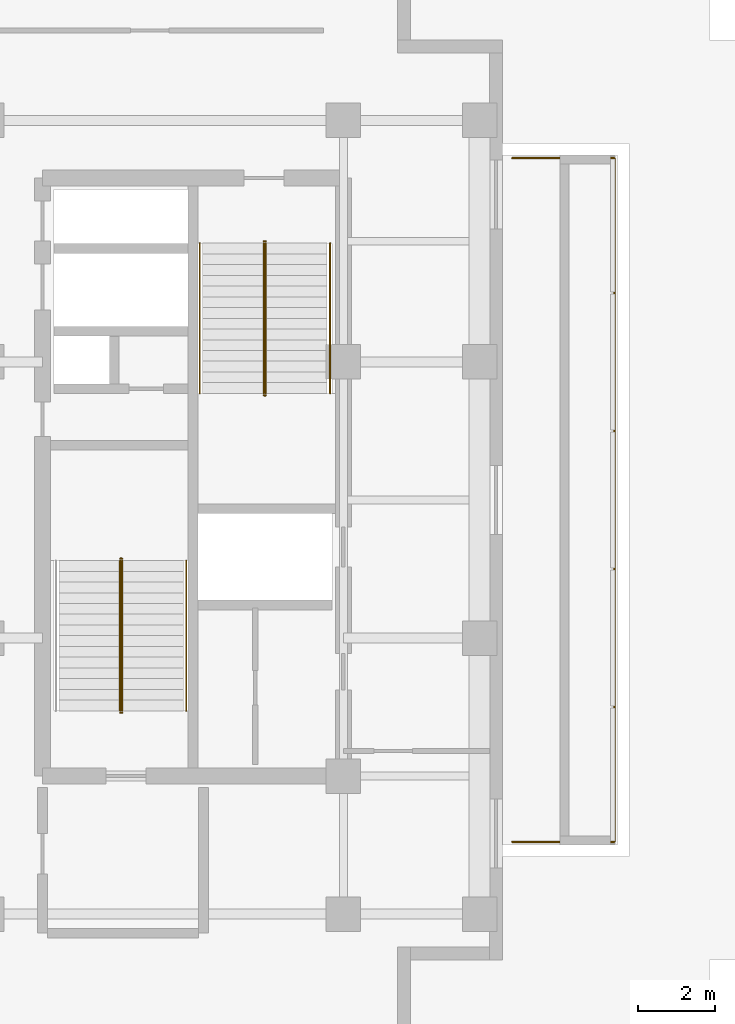
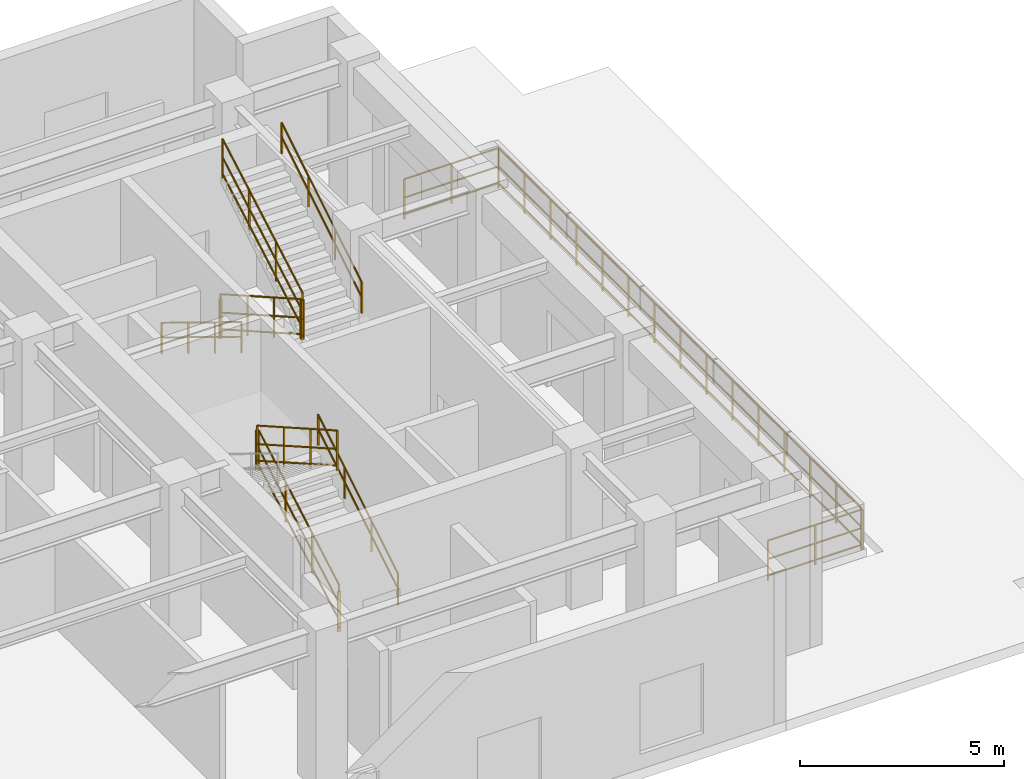
# One storey, part 14 of 16: 14 railings.
"""IFC4 building model written with IfcOpenShell, lengths in metres."""

from ifc_helpers import new_model, entity, si_unit, converted_unit, direction, frame, origin_with_axes, origin_2d_with_axis, place, context, subcontext, project, spatial, rectangle, circle, extrude, material, type_object, element, save


model = new_model("IFC4")

# Units and contexts
model_context = context("Model", 3, precision=1e-05, world=origin_with_axes(), true_north=direction((0.0, 1.0)))
body_context = subcontext(model_context, "Body", "Model", "MODEL_VIEW")
ifc_project = project(units=[si_unit("LENGTHUNIT", "METRE"), si_unit("AREAUNIT", "SQUARE_METRE"), si_unit("VOLUMEUNIT", "CUBIC_METRE"), converted_unit("PLANEANGLEUNIT", "DEGREE", entity("IfcPlaneAngleMeasure", 0.017453292519943295), si_unit("PLANEANGLEUNIT", "RADIAN"), dimensions=[0, 0, 0, 0, 0, 0, 0]), si_unit("MASSUNIT", "GRAM", prefix="KILO"), si_unit("THERMODYNAMICTEMPERATUREUNIT", "KELVIN")], contexts=[model_context])

# Site, building, storey
site_placement = place(None, origin_with_axes())
site = spatial("IfcSite", under=ifc_project, at=site_placement, CompositionType="ELEMENT")
building_placement = place(site_placement, origin_with_axes())
building = spatial("IfcBuilding", under=site, at=building_placement, Name="Varnlund Millrace Tower", CompositionType="ELEMENT")
storey_placement = place(building_placement, frame((0.0, 0.0, 219.9), z_axis=(0.0, 0.0, 1.0), x_axis=(1.0, 0.0, 0.0)))
storey = spatial("IfcBuildingStorey", under=building, at=storey_placement, Name="L54", CompositionType="ELEMENT", Elevation=219.9)

# Railings
ifc_material_1 = material(Name="Architectural bronze balustrade guard", Category="aluminium")
railing_type_1 = type_object("IfcRailingType", Name="Type-Guard-Perimeter-1150", PredefinedType="BALUSTRADE", material=ifc_material_1)
railing_1_placement = place(storey_placement, frame((0.0, 0.0, -219.9), z_axis=(0.0, 0.0, 1.0), x_axis=(1.0, 0.0, 0.0)))
element("IfcRailing", 1, at=railing_1_placement, inside=storey, type_object=railing_type_1, Name="Type-Guard-Perimeter-1150", PredefinedType="BALUSTRADE", context=body_context, shape_type="SweptSolid", body=[
    extrude(circle(Radius=0.024, at=origin_2d_with_axis()), frame((55.12, 5.48, 221.05), z_axis=(0.0, 1.0, 0.0), x_axis=(-1.0, 0.0, 0.0)), (0.0, 0.0, 1.0), 17.84),
    extrude(circle(Radius=0.024, at=origin_2d_with_axis()), frame((55.12, 5.48, 220.0), z_axis=(0.0, 1.0, 0.0), x_axis=(-1.0, 0.0, 0.0)), (0.0, 0.0, 1.0), 17.84),
    extrude(circle(Radius=0.024, at=origin_2d_with_axis()), frame((55.12, 5.48, 220.498), z_axis=(0.0, 1.0, 0.0), x_axis=(-1.0, 0.0, 0.0)), (0.0, 0.0, 1.0), 17.84),
    extrude(rectangle(XDim=0.04, YDim=0.04, at=origin_2d_with_axis()), frame((55.12, 5.48, 219.86), z_axis=(0.0, 0.0, 1.0), x_axis=(1.0, 0.0, 0.0)), (0.0, 0.0, 1.0), 1.19),
    extrude(rectangle(XDim=0.04, YDim=0.04, at=origin_2d_with_axis()), frame((55.12, 6.754286, 219.86), z_axis=(0.0, 0.0, 1.0), x_axis=(1.0, 0.0, 0.0)), (0.0, 0.0, 1.0), 1.19),
    extrude(rectangle(XDim=0.04, YDim=0.04, at=origin_2d_with_axis()), frame((55.12, 8.028571, 219.86), z_axis=(0.0, 0.0, 1.0), x_axis=(1.0, 0.0, 0.0)), (0.0, 0.0, 1.0), 1.19),
    extrude(rectangle(XDim=0.04, YDim=0.04, at=origin_2d_with_axis()), frame((55.12, 9.302857, 219.86), z_axis=(0.0, 0.0, 1.0), x_axis=(1.0, 0.0, 0.0)), (0.0, 0.0, 1.0), 1.19),
    extrude(rectangle(XDim=0.04, YDim=0.04, at=origin_2d_with_axis()), frame((55.12, 10.577143, 219.86), z_axis=(0.0, 0.0, 1.0), x_axis=(1.0, 0.0, 0.0)), (0.0, 0.0, 1.0), 1.19),
    extrude(rectangle(XDim=0.04, YDim=0.04, at=origin_2d_with_axis()), frame((55.12, 11.851429, 219.86), z_axis=(0.0, 0.0, 1.0), x_axis=(1.0, 0.0, 0.0)), (0.0, 0.0, 1.0), 1.19),
    extrude(rectangle(XDim=0.04, YDim=0.04, at=origin_2d_with_axis()), frame((55.12, 13.125714, 219.86), z_axis=(0.0, 0.0, 1.0), x_axis=(1.0, 0.0, 0.0)), (0.0, 0.0, 1.0), 1.19),
    extrude(rectangle(XDim=0.04, YDim=0.04, at=origin_2d_with_axis()), frame((55.12, 14.4, 219.86), z_axis=(0.0, 0.0, 1.0), x_axis=(1.0, 0.0, 0.0)), (0.0, 0.0, 1.0), 1.19),
    extrude(rectangle(XDim=0.04, YDim=0.04, at=origin_2d_with_axis()), frame((55.12, 15.674286, 219.86), z_axis=(0.0, 0.0, 1.0), x_axis=(1.0, 0.0, 0.0)), (0.0, 0.0, 1.0), 1.19),
    extrude(rectangle(XDim=0.04, YDim=0.04, at=origin_2d_with_axis()), frame((55.12, 16.948571, 219.86), z_axis=(0.0, 0.0, 1.0), x_axis=(1.0, 0.0, 0.0)), (0.0, 0.0, 1.0), 1.19),
    extrude(rectangle(XDim=0.04, YDim=0.04, at=origin_2d_with_axis()), frame((55.12, 18.222857, 219.86), z_axis=(0.0, 0.0, 1.0), x_axis=(1.0, 0.0, 0.0)), (0.0, 0.0, 1.0), 1.19),
    extrude(rectangle(XDim=0.04, YDim=0.04, at=origin_2d_with_axis()), frame((55.12, 19.497143, 219.86), z_axis=(0.0, 0.0, 1.0), x_axis=(1.0, 0.0, 0.0)), (0.0, 0.0, 1.0), 1.19),
    extrude(rectangle(XDim=0.04, YDim=0.04, at=origin_2d_with_axis()), frame((55.12, 20.771429, 219.86), z_axis=(0.0, 0.0, 1.0), x_axis=(1.0, 0.0, 0.0)), (0.0, 0.0, 1.0), 1.19),
    extrude(rectangle(XDim=0.04, YDim=0.04, at=origin_2d_with_axis()), frame((55.12, 22.045714, 219.86), z_axis=(0.0, 0.0, 1.0), x_axis=(1.0, 0.0, 0.0)), (0.0, 0.0, 1.0), 1.19),
    extrude(rectangle(XDim=0.04, YDim=0.04, at=origin_2d_with_axis()), frame((55.12, 23.32, 219.86), z_axis=(0.0, 0.0, 1.0), x_axis=(1.0, 0.0, 0.0)), (0.0, 0.0, 1.0), 1.19),
])
railing_2_placement = place(storey_placement, frame((0.0, 0.0, -219.9), z_axis=(0.0, 0.0, 1.0), x_axis=(1.0, 0.0, 0.0)))
element("IfcRailing", 2, at=railing_2_placement, inside=storey, type_object=railing_type_1, Name="Type-Guard-Perimeter-1150", PredefinedType="BALUSTRADE", context=body_context, shape_type="SweptSolid", body=[
    extrude(circle(Radius=0.024, at=origin_2d_with_axis()), frame((55.12, 23.32, 221.05), z_axis=(-1.0, 0.0, 0.0), x_axis=(0.0, -1.0, 0.0)), (0.0, 0.0, 1.0), 2.67),
    extrude(circle(Radius=0.024, at=origin_2d_with_axis()), frame((55.12, 23.32, 220.0), z_axis=(-1.0, 0.0, 0.0), x_axis=(0.0, -1.0, 0.0)), (0.0, 0.0, 1.0), 2.67),
    extrude(circle(Radius=0.024, at=origin_2d_with_axis()), frame((55.12, 23.32, 220.498), z_axis=(-1.0, 0.0, 0.0), x_axis=(0.0, -1.0, 0.0)), (0.0, 0.0, 1.0), 2.67),
    extrude(rectangle(XDim=0.04, YDim=0.04, at=origin_2d_with_axis()), frame((55.12, 23.32, 219.86), z_axis=(0.0, 0.0, 1.0), x_axis=(1.0, 0.0, 0.0)), (0.0, 0.0, 1.0), 1.19),
    extrude(rectangle(XDim=0.04, YDim=0.04, at=origin_2d_with_axis()), frame((53.785, 23.32, 219.86), z_axis=(0.0, 0.0, 1.0), x_axis=(1.0, 0.0, 0.0)), (0.0, 0.0, 1.0), 1.19),
    extrude(rectangle(XDim=0.04, YDim=0.04, at=origin_2d_with_axis()), frame((52.45, 23.32, 219.86), z_axis=(0.0, 0.0, 1.0), x_axis=(1.0, 0.0, 0.0)), (0.0, 0.0, 1.0), 1.19),
])
railing_3_placement = place(storey_placement, frame((0.0, 0.0, -219.9), z_axis=(0.0, 0.0, 1.0), x_axis=(1.0, 0.0, 0.0)))
element("IfcRailing", 3, at=railing_3_placement, inside=storey, type_object=railing_type_1, Name="Type-Guard-Perimeter-1150", PredefinedType="BALUSTRADE", context=body_context, shape_type="SweptSolid", body=[
    extrude(circle(Radius=0.024, at=origin_2d_with_axis()), frame((52.45, 5.48, 221.05), z_axis=(1.0, 0.0, 0.0), x_axis=(0.0, 1.0, 0.0)), (0.0, 0.0, 1.0), 2.67),
    extrude(circle(Radius=0.024, at=origin_2d_with_axis()), frame((52.45, 5.48, 220.0), z_axis=(1.0, 0.0, 0.0), x_axis=(0.0, 1.0, 0.0)), (0.0, 0.0, 1.0), 2.67),
    extrude(circle(Radius=0.024, at=origin_2d_with_axis()), frame((52.45, 5.48, 220.498), z_axis=(1.0, 0.0, 0.0), x_axis=(0.0, 1.0, 0.0)), (0.0, 0.0, 1.0), 2.67),
    extrude(rectangle(XDim=0.04, YDim=0.04, at=origin_2d_with_axis()), frame((52.45, 5.48, 219.86), z_axis=(0.0, 0.0, 1.0), x_axis=(1.0, 0.0, 0.0)), (0.0, 0.0, 1.0), 1.19),
    extrude(rectangle(XDim=0.04, YDim=0.04, at=origin_2d_with_axis()), frame((53.785, 5.48, 219.86), z_axis=(0.0, 0.0, 1.0), x_axis=(1.0, 0.0, 0.0)), (0.0, 0.0, 1.0), 1.19),
    extrude(rectangle(XDim=0.04, YDim=0.04, at=origin_2d_with_axis()), frame((55.12, 5.48, 219.86), z_axis=(0.0, 0.0, 1.0), x_axis=(1.0, 0.0, 0.0)), (0.0, 0.0, 1.0), 1.19),
])
ifc_material_2 = material(Name="Painted steel stair well balustrade guard", Category="steel")
railing_type_2 = type_object("IfcRailingType", Name="Type-StairGuard-1150", PredefinedType="GUARDRAIL", material=ifc_material_2)
railing_4_placement = place(storey_placement, frame((0.0, 0.0, -219.9), z_axis=(0.0, 0.0, 1.0), x_axis=(1.0, 0.0, 0.0)))
element("IfcRailing", 4, at=railing_4_placement, inside=storey, type_object=railing_type_2, Name="Type-StairGuard-1150", PredefinedType="GUARDRAIL", context=body_context, shape_type="SweptSolid", body=[
    extrude(circle(Radius=0.024, at=origin_2d_with_axis()), frame((42.275, 8.9, 221.221429), z_axis=(0.0, 0.869333, 0.494227), x_axis=(-1.0, 0.0, 0.0)), (0.0, 0.0, 1.0), 4.509205),
    extrude(circle(Radius=0.024, at=origin_2d_with_axis()), frame((42.275, 8.9, 220.171429), z_axis=(0.0, 0.869333, 0.494227), x_axis=(-1.0, 0.0, 0.0)), (0.0, 0.0, 1.0), 4.509205),
    extrude(circle(Radius=0.024, at=origin_2d_with_axis()), frame((42.275, 8.9, 220.669429), z_axis=(0.0, 0.869333, 0.494227), x_axis=(-1.0, 0.0, 0.0)), (0.0, 0.0, 1.0), 4.509205),
    extrude(rectangle(XDim=0.04, YDim=0.04, at=origin_2d_with_axis()), frame((42.275, 8.9, 220.031429), z_axis=(0.0, 0.0, 1.0), x_axis=(1.0, 0.0, 0.0)), (0.0, 0.0, 1.0), 1.19),
    extrude(rectangle(XDim=0.04, YDim=0.04, at=origin_2d_with_axis()), frame((42.275, 10.206667, 220.774286), z_axis=(0.0, 0.0, 1.0), x_axis=(1.0, 0.0, 0.0)), (0.0, 0.0, 1.0), 1.19),
    extrude(rectangle(XDim=0.04, YDim=0.04, at=origin_2d_with_axis()), frame((42.275, 11.513333, 221.517143), z_axis=(0.0, 0.0, 1.0), x_axis=(1.0, 0.0, 0.0)), (0.0, 0.0, 1.0), 1.19),
    extrude(rectangle(XDim=0.04, YDim=0.04, at=origin_2d_with_axis()), frame((42.275, 12.82, 222.26), z_axis=(0.0, 0.0, 1.0), x_axis=(1.0, 0.0, 0.0)), (0.0, 0.0, 1.0), 1.19),
])
railing_5_placement = place(storey_placement, frame((0.0, 0.0, -219.9), z_axis=(0.0, 0.0, 1.0), x_axis=(1.0, 0.0, 0.0)))
element("IfcRailing", 5, at=railing_5_placement, inside=storey, type_object=railing_type_2, Name="Type-StairGuard-1150", PredefinedType="GUARDRAIL", context=body_context, shape_type="SweptSolid", body=[
    extrude(circle(Radius=0.024, at=origin_2d_with_axis()), frame((42.225, 12.87, 223.45), z_axis=(1.0, 0.0, 0.0), x_axis=(0.0, 1.0, 0.0)), (0.0, 0.0, 1.0), 0.05),
    extrude(circle(Radius=0.024, at=origin_2d_with_axis()), frame((42.225, 12.87, 222.4), z_axis=(1.0, 0.0, 0.0), x_axis=(0.0, 1.0, 0.0)), (0.0, 0.0, 1.0), 0.05),
    extrude(circle(Radius=0.024, at=origin_2d_with_axis()), frame((42.225, 12.87, 222.898), z_axis=(1.0, 0.0, 0.0), x_axis=(0.0, 1.0, 0.0)), (0.0, 0.0, 1.0), 0.05),
    extrude(rectangle(XDim=0.04, YDim=0.04, at=origin_2d_with_axis()), frame((42.225, 12.87, 222.26), z_axis=(0.0, 0.0, 1.0), x_axis=(1.0, 0.0, 0.0)), (0.0, 0.0, 1.0), 1.19),
    extrude(rectangle(XDim=0.04, YDim=0.04, at=origin_2d_with_axis()), frame((42.275, 12.87, 222.26), z_axis=(0.0, 0.0, 1.0), x_axis=(1.0, 0.0, 0.0)), (0.0, 0.0, 1.0), 1.19),
])
railing_6_placement = place(storey_placement, frame((0.0, 0.0, -219.9), z_axis=(0.0, 0.0, 1.0), x_axis=(1.0, 0.0, 0.0)))
element("IfcRailing", 6, at=railing_6_placement, inside=storey, type_object=railing_type_2, Name="Type-StairGuard-1150", PredefinedType="GUARDRAIL", context=body_context, shape_type="SweptSolid", body=[
    extrude(circle(Radius=0.024, at=origin_2d_with_axis()), frame((42.225, 12.82, 223.621429), z_axis=(0.0, -0.869333, 0.494227), x_axis=(1.0, 0.0, 0.0)), (0.0, 0.0, 1.0), 4.509205),
    extrude(circle(Radius=0.024, at=origin_2d_with_axis()), frame((42.225, 12.82, 222.571429), z_axis=(0.0, -0.869333, 0.494227), x_axis=(1.0, 0.0, 0.0)), (0.0, 0.0, 1.0), 4.509205),
    extrude(circle(Radius=0.024, at=origin_2d_with_axis()), frame((42.225, 12.82, 223.069429), z_axis=(0.0, -0.869333, 0.494227), x_axis=(1.0, 0.0, 0.0)), (0.0, 0.0, 1.0), 4.509205),
    extrude(rectangle(XDim=0.04, YDim=0.04, at=origin_2d_with_axis()), frame((42.225, 12.82, 222.431429), z_axis=(0.0, 0.0, 1.0), x_axis=(1.0, 0.0, 0.0)), (0.0, 0.0, 1.0), 1.19),
    extrude(rectangle(XDim=0.04, YDim=0.04, at=origin_2d_with_axis()), frame((42.225, 11.513333, 223.174286), z_axis=(0.0, 0.0, 1.0), x_axis=(1.0, 0.0, 0.0)), (0.0, 0.0, 1.0), 1.19),
    extrude(rectangle(XDim=0.04, YDim=0.04, at=origin_2d_with_axis()), frame((42.225, 10.206667, 223.917143), z_axis=(0.0, 0.0, 1.0), x_axis=(1.0, 0.0, 0.0)), (0.0, 0.0, 1.0), 1.19),
    extrude(rectangle(XDim=0.04, YDim=0.04, at=origin_2d_with_axis()), frame((42.225, 8.9, 224.66), z_axis=(0.0, 0.0, 1.0), x_axis=(1.0, 0.0, 0.0)), (0.0, 0.0, 1.0), 1.19),
])
railing_7_placement = place(storey_placement, frame((0.0, 0.0, -219.9), z_axis=(0.0, 0.0, 1.0), x_axis=(1.0, 0.0, 0.0)))
element("IfcRailing", 7, at=railing_7_placement, inside=storey, type_object=railing_type_2, Name="Type-StairGuard-1150", PredefinedType="GUARDRAIL", context=body_context, shape_type="SweptSolid", body=[
    extrude(circle(Radius=0.024, at=origin_2d_with_axis()), frame((42.225, 8.85, 221.05), z_axis=(1.0, 0.0, 0.0), x_axis=(0.0, 1.0, 0.0)), (0.0, 0.0, 1.0), 0.05),
    extrude(circle(Radius=0.024, at=origin_2d_with_axis()), frame((42.225, 8.85, 220.0), z_axis=(1.0, 0.0, 0.0), x_axis=(0.0, 1.0, 0.0)), (0.0, 0.0, 1.0), 0.05),
    extrude(circle(Radius=0.024, at=origin_2d_with_axis()), frame((42.225, 8.85, 220.498), z_axis=(1.0, 0.0, 0.0), x_axis=(0.0, 1.0, 0.0)), (0.0, 0.0, 1.0), 0.05),
    extrude(rectangle(XDim=0.04, YDim=0.04, at=origin_2d_with_axis()), frame((42.225, 8.85, 219.86), z_axis=(0.0, 0.0, 1.0), x_axis=(1.0, 0.0, 0.0)), (0.0, 0.0, 1.0), 1.19),
    extrude(rectangle(XDim=0.04, YDim=0.04, at=origin_2d_with_axis()), frame((42.275, 8.85, 219.86), z_axis=(0.0, 0.0, 1.0), x_axis=(1.0, 0.0, 0.0)), (0.0, 0.0, 1.0), 1.19),
])
railing_8_placement = place(storey_placement, frame((0.0, 0.0, -219.9), z_axis=(0.0, 0.0, 1.0), x_axis=(1.0, 0.0, 0.0)))
element("IfcRailing", 8, at=railing_8_placement, inside=storey, type_object=railing_type_2, Name="Type-StairGuard-1150", PredefinedType="GUARDRAIL", context=body_context, shape_type="SweptSolid", body=[
    extrude(circle(Radius=0.024, at=origin_2d_with_axis()), frame((45.975, 21.1, 221.221429), z_axis=(0.0, -0.869333, 0.494227), x_axis=(1.0, 0.0, 0.0)), (0.0, 0.0, 1.0), 4.509205),
    extrude(circle(Radius=0.024, at=origin_2d_with_axis()), frame((45.975, 21.1, 220.171429), z_axis=(0.0, -0.869333, 0.494227), x_axis=(1.0, 0.0, 0.0)), (0.0, 0.0, 1.0), 4.509205),
    extrude(circle(Radius=0.024, at=origin_2d_with_axis()), frame((45.975, 21.1, 220.669429), z_axis=(0.0, -0.869333, 0.494227), x_axis=(1.0, 0.0, 0.0)), (0.0, 0.0, 1.0), 4.509205),
    extrude(rectangle(XDim=0.04, YDim=0.04, at=origin_2d_with_axis()), frame((45.975, 21.1, 220.031429), z_axis=(0.0, 0.0, 1.0), x_axis=(1.0, 0.0, 0.0)), (0.0, 0.0, 1.0), 1.19),
    extrude(rectangle(XDim=0.04, YDim=0.04, at=origin_2d_with_axis()), frame((45.975, 19.793333, 220.774286), z_axis=(0.0, 0.0, 1.0), x_axis=(1.0, 0.0, 0.0)), (0.0, 0.0, 1.0), 1.19),
    extrude(rectangle(XDim=0.04, YDim=0.04, at=origin_2d_with_axis()), frame((45.975, 18.486667, 221.517143), z_axis=(0.0, 0.0, 1.0), x_axis=(1.0, 0.0, 0.0)), (0.0, 0.0, 1.0), 1.19),
    extrude(rectangle(XDim=0.04, YDim=0.04, at=origin_2d_with_axis()), frame((45.975, 17.18, 222.26), z_axis=(0.0, 0.0, 1.0), x_axis=(1.0, 0.0, 0.0)), (0.0, 0.0, 1.0), 1.19),
])
railing_9_placement = place(storey_placement, frame((0.0, 0.0, -219.9), z_axis=(0.0, 0.0, 1.0), x_axis=(1.0, 0.0, 0.0)))
element("IfcRailing", 9, at=railing_9_placement, inside=storey, type_object=railing_type_2, Name="Type-StairGuard-1150", PredefinedType="GUARDRAIL", context=body_context, shape_type="SweptSolid", body=[
    extrude(circle(Radius=0.024, at=origin_2d_with_axis()), frame((46.025, 17.13, 223.45), z_axis=(-1.0, 0.0, 0.0), x_axis=(0.0, -1.0, 0.0)), (0.0, 0.0, 1.0), 0.05),
    extrude(circle(Radius=0.024, at=origin_2d_with_axis()), frame((46.025, 17.13, 222.4), z_axis=(-1.0, 0.0, 0.0), x_axis=(0.0, -1.0, 0.0)), (0.0, 0.0, 1.0), 0.05),
    extrude(circle(Radius=0.024, at=origin_2d_with_axis()), frame((46.025, 17.13, 222.898), z_axis=(-1.0, 0.0, 0.0), x_axis=(0.0, -1.0, 0.0)), (0.0, 0.0, 1.0), 0.05),
    extrude(rectangle(XDim=0.04, YDim=0.04, at=origin_2d_with_axis()), frame((46.025, 17.13, 222.26), z_axis=(0.0, 0.0, 1.0), x_axis=(1.0, 0.0, 0.0)), (0.0, 0.0, 1.0), 1.19),
    extrude(rectangle(XDim=0.04, YDim=0.04, at=origin_2d_with_axis()), frame((45.975, 17.13, 222.26), z_axis=(0.0, 0.0, 1.0), x_axis=(1.0, 0.0, 0.0)), (0.0, 0.0, 1.0), 1.19),
])
railing_10_placement = place(storey_placement, frame((0.0, 0.0, -219.9), z_axis=(0.0, 0.0, 1.0), x_axis=(1.0, 0.0, 0.0)))
element("IfcRailing", 10, at=railing_10_placement, inside=storey, type_object=railing_type_2, Name="Type-StairGuard-1150", PredefinedType="GUARDRAIL", context=body_context, shape_type="SweptSolid", body=[
    extrude(circle(Radius=0.024, at=origin_2d_with_axis()), frame((46.025, 17.18, 223.621429), z_axis=(0.0, 0.869333, 0.494227), x_axis=(-1.0, 0.0, 0.0)), (0.0, 0.0, 1.0), 4.509205),
    extrude(circle(Radius=0.024, at=origin_2d_with_axis()), frame((46.025, 17.18, 222.571429), z_axis=(0.0, 0.869333, 0.494227), x_axis=(-1.0, 0.0, 0.0)), (0.0, 0.0, 1.0), 4.509205),
    extrude(circle(Radius=0.024, at=origin_2d_with_axis()), frame((46.025, 17.18, 223.069429), z_axis=(0.0, 0.869333, 0.494227), x_axis=(-1.0, 0.0, 0.0)), (0.0, 0.0, 1.0), 4.509205),
    extrude(rectangle(XDim=0.04, YDim=0.04, at=origin_2d_with_axis()), frame((46.025, 17.18, 222.431429), z_axis=(0.0, 0.0, 1.0), x_axis=(1.0, 0.0, 0.0)), (0.0, 0.0, 1.0), 1.19),
    extrude(rectangle(XDim=0.04, YDim=0.04, at=origin_2d_with_axis()), frame((46.025, 18.486667, 223.174286), z_axis=(0.0, 0.0, 1.0), x_axis=(1.0, 0.0, 0.0)), (0.0, 0.0, 1.0), 1.19),
    extrude(rectangle(XDim=0.04, YDim=0.04, at=origin_2d_with_axis()), frame((46.025, 19.793333, 223.917143), z_axis=(0.0, 0.0, 1.0), x_axis=(1.0, 0.0, 0.0)), (0.0, 0.0, 1.0), 1.19),
    extrude(rectangle(XDim=0.04, YDim=0.04, at=origin_2d_with_axis()), frame((46.025, 21.1, 224.66), z_axis=(0.0, 0.0, 1.0), x_axis=(1.0, 0.0, 0.0)), (0.0, 0.0, 1.0), 1.19),
])
railing_11_placement = place(storey_placement, frame((0.0, 0.0, -219.9), z_axis=(0.0, 0.0, 1.0), x_axis=(1.0, 0.0, 0.0)))
element("IfcRailing", 11, at=railing_11_placement, inside=storey, type_object=railing_type_2, Name="Type-StairGuard-1150", PredefinedType="GUARDRAIL", context=body_context, shape_type="SweptSolid", body=[
    extrude(circle(Radius=0.024, at=origin_2d_with_axis()), frame((46.025, 21.15, 221.05), z_axis=(-1.0, 0.0, 0.0), x_axis=(0.0, -1.0, 0.0)), (0.0, 0.0, 1.0), 0.05),
    extrude(circle(Radius=0.024, at=origin_2d_with_axis()), frame((46.025, 21.15, 220.0), z_axis=(-1.0, 0.0, 0.0), x_axis=(0.0, -1.0, 0.0)), (0.0, 0.0, 1.0), 0.05),
    extrude(circle(Radius=0.024, at=origin_2d_with_axis()), frame((46.025, 21.15, 220.498), z_axis=(-1.0, 0.0, 0.0), x_axis=(0.0, -1.0, 0.0)), (0.0, 0.0, 1.0), 0.05),
    extrude(rectangle(XDim=0.04, YDim=0.04, at=origin_2d_with_axis()), frame((46.025, 21.15, 219.86), z_axis=(0.0, 0.0, 1.0), x_axis=(1.0, 0.0, 0.0)), (0.0, 0.0, 1.0), 1.19),
    extrude(rectangle(XDim=0.04, YDim=0.04, at=origin_2d_with_axis()), frame((45.975, 21.15, 219.86), z_axis=(0.0, 0.0, 1.0), x_axis=(1.0, 0.0, 0.0)), (0.0, 0.0, 1.0), 1.19),
])
ifc_material_3 = material(Name="Brushed architectural bronze stair handrail", Category="aluminium")
railing_type_3 = type_object("IfcRailingType", Name="Type-StairHandrail-900", PredefinedType="HANDRAIL", material=ifc_material_3)
railing_12_placement = place(storey_placement, frame((0.0, 0.0, -219.9), z_axis=(0.0, 0.0, 1.0), x_axis=(1.0, 0.0, 0.0)))
element("IfcRailing", 12, at=railing_12_placement, inside=storey, type_object=railing_type_3, Name="Type-StairHandrail-900", PredefinedType="HANDRAIL", context=body_context, shape_type="SweptSolid", body=[
    extrude(circle(Radius=0.024, at=origin_2d_with_axis()), frame((43.95, 8.9, 220.950961), z_axis=(0.0, 0.852851, 0.522154), x_axis=(-1.0, 0.0, 0.0)), (0.0, 0.0, 1.0), 4.596346),
    extrude(circle(Radius=0.024, at=origin_2d_with_axis()), frame((43.95, 8.9, 220.511195), z_axis=(0.0, 0.852851, 0.522154), x_axis=(-1.0, 0.0, 0.0)), (0.0, 0.0, 1.0), 4.596346),
    extrude(rectangle(XDim=0.04, YDim=0.04, at=origin_2d_with_axis()), frame((43.95, 8.9, 220.031429), z_axis=(0.0, 0.0, 1.0), x_axis=(1.0, 0.0, 0.0)), (0.0, 0.0, 1.0), 0.919532),
    extrude(rectangle(XDim=0.04, YDim=0.04, at=origin_2d_with_axis()), frame((43.95, 10.206667, 220.831429), z_axis=(0.0, 0.0, 1.0), x_axis=(1.0, 0.0, 0.0)), (0.0, 0.0, 1.0), 0.919532),
    extrude(rectangle(XDim=0.04, YDim=0.04, at=origin_2d_with_axis()), frame((43.95, 11.513333, 221.631429), z_axis=(0.0, 0.0, 1.0), x_axis=(1.0, 0.0, 0.0)), (0.0, 0.0, 1.0), 0.919532),
    extrude(rectangle(XDim=0.04, YDim=0.04, at=origin_2d_with_axis()), frame((43.95, 12.82, 222.431429), z_axis=(0.0, 0.0, 1.0), x_axis=(1.0, 0.0, 0.0)), (0.0, 0.0, 1.0), 0.919532),
])
railing_13_placement = place(storey_placement, frame((0.0, 0.0, -219.9), z_axis=(0.0, 0.0, 1.0), x_axis=(1.0, 0.0, 0.0)))
element("IfcRailing", 13, at=railing_13_placement, inside=storey, type_object=railing_type_3, Name="Type-StairHandrail-900", PredefinedType="HANDRAIL", context=body_context, shape_type="SweptSolid", body=[
    extrude(circle(Radius=0.024, at=origin_2d_with_axis()), frame((44.3, 21.1, 220.950961), z_axis=(0.0, -0.852851, 0.522154), x_axis=(1.0, 0.0, 0.0)), (0.0, 0.0, 1.0), 4.596346),
    extrude(circle(Radius=0.024, at=origin_2d_with_axis()), frame((44.3, 21.1, 220.511195), z_axis=(0.0, -0.852851, 0.522154), x_axis=(1.0, 0.0, 0.0)), (0.0, 0.0, 1.0), 4.596346),
    extrude(rectangle(XDim=0.04, YDim=0.04, at=origin_2d_with_axis()), frame((44.3, 21.1, 220.031429), z_axis=(0.0, 0.0, 1.0), x_axis=(1.0, 0.0, 0.0)), (0.0, 0.0, 1.0), 0.919532),
    extrude(rectangle(XDim=0.04, YDim=0.04, at=origin_2d_with_axis()), frame((44.3, 19.793333, 220.831429), z_axis=(0.0, 0.0, 1.0), x_axis=(1.0, 0.0, 0.0)), (0.0, 0.0, 1.0), 0.919532),
    extrude(rectangle(XDim=0.04, YDim=0.04, at=origin_2d_with_axis()), frame((44.3, 18.486667, 221.631429), z_axis=(0.0, 0.0, 1.0), x_axis=(1.0, 0.0, 0.0)), (0.0, 0.0, 1.0), 0.919532),
    extrude(rectangle(XDim=0.04, YDim=0.04, at=origin_2d_with_axis()), frame((44.3, 17.18, 222.431429), z_axis=(0.0, 0.0, 1.0), x_axis=(1.0, 0.0, 0.0)), (0.0, 0.0, 1.0), 0.919532),
])
railing_14_placement = place(storey_placement, frame((0.0, 0.0, -219.9), z_axis=(0.0, 0.0, 1.0), x_axis=(1.0, 0.0, 0.0)))
element("IfcRailing", 14, at=railing_14_placement, inside=storey, type_object=railing_type_3, Name="Type-StairHandrail-900", PredefinedType="HANDRAIL", context=body_context, shape_type="SweptSolid", body=[
    extrude(circle(Radius=0.024, at=origin_2d_with_axis()), frame((47.7, 17.18, 223.350961), z_axis=(0.0, 0.852851, 0.522154), x_axis=(-1.0, 0.0, 0.0)), (0.0, 0.0, 1.0), 4.596346),
    extrude(circle(Radius=0.024, at=origin_2d_with_axis()), frame((47.7, 17.18, 222.911195), z_axis=(0.0, 0.852851, 0.522154), x_axis=(-1.0, 0.0, 0.0)), (0.0, 0.0, 1.0), 4.596346),
    extrude(rectangle(XDim=0.04, YDim=0.04, at=origin_2d_with_axis()), frame((47.7, 17.18, 222.431429), z_axis=(0.0, 0.0, 1.0), x_axis=(1.0, 0.0, 0.0)), (0.0, 0.0, 1.0), 0.919532),
    extrude(rectangle(XDim=0.04, YDim=0.04, at=origin_2d_with_axis()), frame((47.7, 18.486667, 223.231429), z_axis=(0.0, 0.0, 1.0), x_axis=(1.0, 0.0, 0.0)), (0.0, 0.0, 1.0), 0.919532),
    extrude(rectangle(XDim=0.04, YDim=0.04, at=origin_2d_with_axis()), frame((47.7, 19.793333, 224.031429), z_axis=(0.0, 0.0, 1.0), x_axis=(1.0, 0.0, 0.0)), (0.0, 0.0, 1.0), 0.919532),
    extrude(rectangle(XDim=0.04, YDim=0.04, at=origin_2d_with_axis()), frame((47.7, 21.1, 224.831429), z_axis=(0.0, 0.0, 1.0), x_axis=(1.0, 0.0, 0.0)), (0.0, 0.0, 1.0), 0.919532),
])

save(model, "model.ifc")
